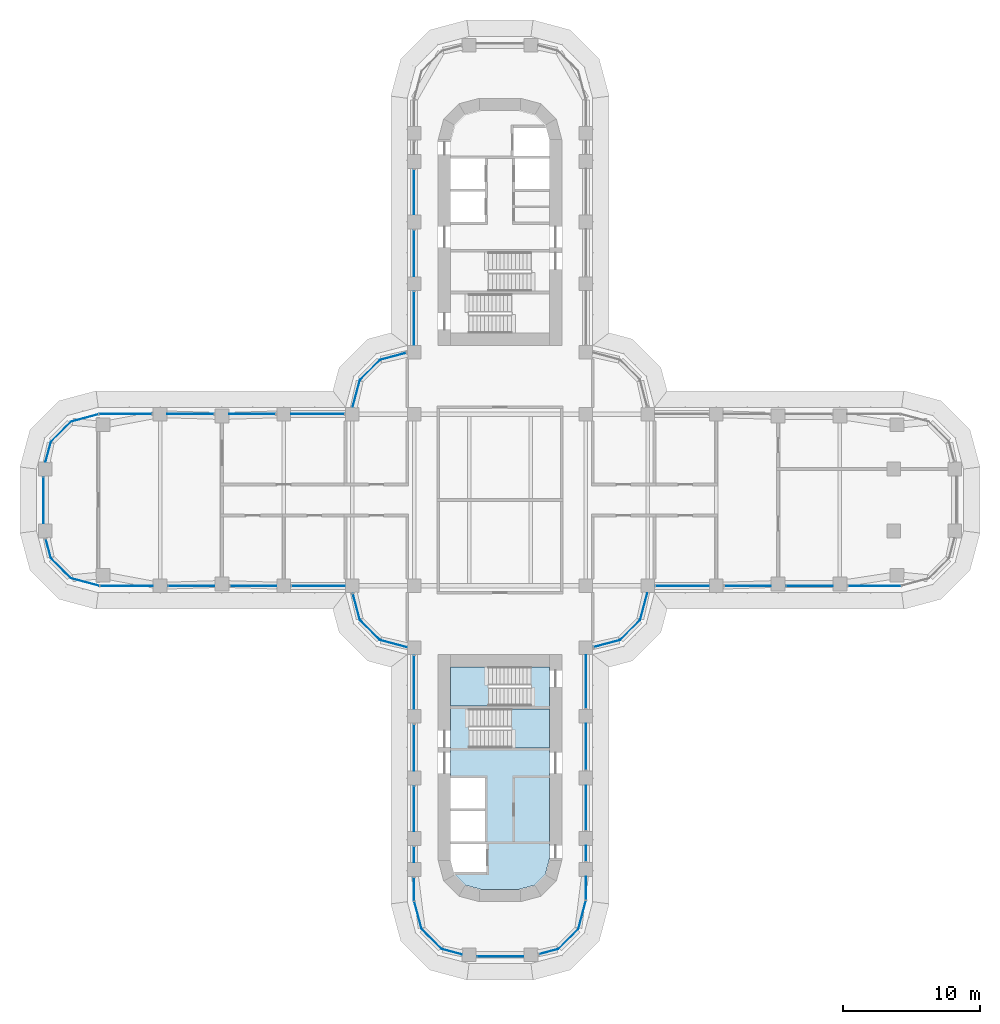
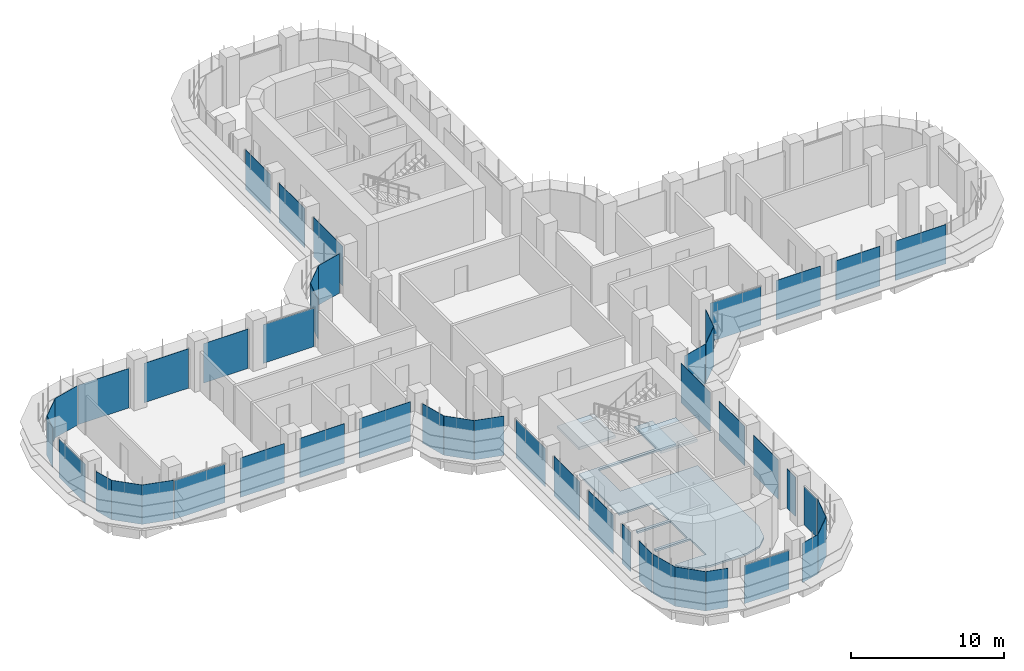
# One storey, part 13 of 23: 48 plates, 3 slabs, 31 elements without a shape of their own.
"""IFC4 building model written with IfcOpenShell, lengths in metres."""

from ifc_helpers import new_model, si_unit, direction, frame, origin, place, context, subcontext, project, spatial, polyline, outline, extrude, source, transform, mapped, material, layer, layer_set, type_object, element, aggregate, save


model = new_model("IFC4")

# Units and contexts
model_context = context("Model", 3, precision=1e-05, world=origin(), true_north=direction((0.0, 1.0)))
body_context = subcontext(model_context, "Body", "Model", "MODEL_VIEW")
ifc_project = project(units=[si_unit("LENGTHUNIT", "METRE"), si_unit("AREAUNIT", "SQUARE_METRE"), si_unit("VOLUMEUNIT", "CUBIC_METRE"), si_unit("PLANEANGLEUNIT", "RADIAN"), si_unit("MASSUNIT", "GRAM", prefix="KILO")], contexts=[model_context])

# Site, building, storey
site_placement = place(None, origin())
site = spatial("IfcSite", under=ifc_project, at=site_placement, CompositionType="ELEMENT")
building_placement = place(site_placement, origin())
building = spatial("IfcBuilding", under=site, at=building_placement, Name="Zarbagh Exchange Tower", CompositionType="ELEMENT")
storey_placement = place(building_placement, frame((0.0, 0.0, 48.0)))
storey = spatial("IfcBuildingStorey", under=building, at=storey_placement, Name="L10", CompositionType="ELEMENT", Elevation=48.0)

# Slab
ifc_material_1 = material(Name="Concrete C40/50", Category="concrete")
ifc_layer_1 = layer(ifc_material_1, 0.14990234375)
ifc_layer_set_1 = layer_set([ifc_layer_1], Name="Core floor slab 150 C40/50")
slab_type_1 = type_object("IfcSlabType", Name="Core floor slab 150 C40/50", PredefinedType="FLOOR", material=ifc_layer_set_1)
slab_1_placement = place(storey_placement, frame((0.0, 0.0, -0.14990234375)))
element("IfcSlab", 1, at=slab_1_placement, inside=storey, type_object=slab_type_1, Name="S17 core S", PredefinedType="FLOOR", context=body_context, shape_type="SweptSolid", body=[
    extrude(outline(polyline([(-2.5341796875, -28.041259765625), (-3.291259765625, -27.2841796875), (-3.340576171875, -27.10009765625), (-1.0, -27.10009765625), (-1.0, -25.050048828125), (-3.60009765625, -25.050048828125), (-3.60009765625, -24.85009765625), (-1.10009765625, -24.85009765625), (-1.10009765625, -22.64990234375), (-3.60009765625, -22.64990234375), (-3.60009765625, -22.449951171875), (-1.10009765625, -22.449951171875), (-1.10009765625, -20.25), (-3.60009765625, -20.25), (-3.60009765625, -15.0), (2.25, -15.0), (2.25, -12.14990234375), (3.60009765625, -12.14990234375), (3.60009765625, -15.199951171875), (-2.25, -15.199951171875), (-2.25, -18.050048828125), (3.60009765625, -18.050048828125), (3.60009765625, -26.131591796875), (3.291259765625, -27.2841796875), (2.5341796875, -28.041259765625), (1.381591796875, -28.35009765625), (-1.381591796875, -28.35009765625), (-2.5341796875, -28.041259765625)])), origin(), (0.0, 0.0, 1.0), 0.14990234375),
])

# Stair, slab
stair_type = type_object("IfcStairType", Name="Exit stair two-flight half-turn", PredefinedType="HALF_TURN_STAIR", material=ifc_material_1)
stair_1_placement = place(storey_placement, origin())
stair_1 = element("IfcStair", 2, at=stair_1_placement, inside=storey, type_object=stair_type, Name="exit stair ST3", PredefinedType="HALF_TURN_STAIR")
ifc_layer_2 = layer(ifc_material_1, 0.199951171875)
ifc_layer_set_2 = layer_set([ifc_layer_2], Name="Stair landing 200 mm")
slab_type_2 = type_object("IfcSlabType", Name="Stair landing 200 mm", PredefinedType="LANDING", material=ifc_layer_set_2)
slab_2_placement = place(storey_placement, frame((0.0, 0.0, 1.89990234375)))
slab_2 = element("IfcSlab", 3, at=slab_2_placement, type_object=slab_type_2, Name="ST3 landing 1", PredefinedType="LANDING", context=body_context, shape_type="SweptSolid", body=[
    extrude(outline(polyline([(0.830078125, -18.050048828125), (3.60009765625, -18.050048828125), (3.60009765625, -15.199951171875), (0.830078125, -15.199951171875), (0.830078125, -18.050048828125)])), origin(), (0.0, 0.0, 1.0), 0.2001953125),
])
aggregate(stair_1, [slab_2])

stair_2_placement = place(storey_placement, origin())
stair_2 = element("IfcStair", 4, at=stair_2_placement, inside=storey, type_object=stair_type, Name="exit stair ST4", PredefinedType="HALF_TURN_STAIR")
slab_3_placement = place(storey_placement, frame((0.0, 0.0, 1.89990234375)))
slab_3 = element("IfcSlab", 5, at=slab_3_placement, type_object=slab_type_2, Name="ST4 landing 1", PredefinedType="LANDING", context=body_context, shape_type="SweptSolid", body=[
    extrude(outline(polyline([(-0.830078125, -12.14990234375), (-3.60009765625, -12.14990234375), (-3.60009765625, -15.0), (-0.830078125, -15.0), (-0.830078125, -12.14990234375)])), origin(), (0.0, 0.0, 1.0), 0.2001953125),
])
aggregate(stair_2, [slab_3])

# Curtain wall, plate
ifc_material_2 = material(Name="Anodised aluminium frame and glazing", Category="aluminium")
curtain_wall_type = type_object("IfcCurtainWallType", Name="CWA Ribbon glazing, lower zones", PredefinedType="NOTDEFINED", material=ifc_material_2)
curtain_wall_1_placement = place(storey_placement, origin())
curtain_wall_1 = element("IfcCurtainWall", 6, at=curtain_wall_1_placement, inside=storey, type_object=curtain_wall_type, Name="CWA01 curtain wall", PredefinedType="NOTDEFINED")
ifc_material_3 = material(Name="Low-e double glazed unit, 6+12+6 mm")
ifc_layer_3 = layer(ifc_material_3, 0.028076171875)
ifc_layer_set_3 = layer_set([ifc_layer_3], Name="PAA Glazing panel, Low-e double glazed unit, 6+12+6 mm")
plate_type = type_object("IfcPlateType", Name="PAA Glazing panel, Low-e double glazed unit, 6+12+6 mm", PredefinedType="CURTAIN_PANEL", material=ifc_layer_set_3)
shared_shape_1 = source(origin(), body_context, "Body", "SweptSolid", [
    extrude(outline(polyline([(0.0, -0.013916015625), (1.4423828125, -0.013916015625), (1.4423828125, 0.013916015625), (0.0, 0.013916015625), (0.0, -0.013916015625)])), origin(), (0.0, 0.0, 1.0), 3.14990234375),
])
placement = place(storey_placement, origin())
plate_1 = element("IfcPlate", 7, at=placement, type_object=plate_type, Name="CWA01 glazing panel 1.1", PredefinedType="CURTAIN_PANEL", context=body_context, shape_type="MappedRepresentation", body=[
    mapped(shared_shape_1, transform((2.847900390625, -33.072021484375, 0.0), x_axis=(0.965924289636, 0.258824779902, 0.0), y_axis=(-0.258824779902, 0.965924289636, 0.0), z_axis=(0.0, 0.0, 1.0))),
])
aggregate(curtain_wall_1, [plate_1])

curtain_wall_2_placement = place(storey_placement, origin())
curtain_wall_2 = element("IfcCurtainWall", 8, at=curtain_wall_2_placement, inside=storey, type_object=curtain_wall_type, Name="CWA37 curtain wall", PredefinedType="NOTDEFINED")
plate_2 = element("IfcPlate", 9, at=placement, type_object=plate_type, Name="CWA37 glazing panel 1.1", PredefinedType="CURTAIN_PANEL", context=body_context, shape_type="MappedRepresentation", body=[
    mapped(shared_shape_1, transform((-33.072021484375, -2.847900390625, 0.0), x_axis=(0.258824779902, -0.965924289636, 0.0), y_axis=(0.965924289636, 0.258824779902, 0.0), z_axis=(0.0, 0.0, 1.0))),
])
aggregate(curtain_wall_2, [plate_2])

curtain_wall_3_placement = place(storey_placement, origin())
curtain_wall_3 = element("IfcCurtainWall", 10, at=curtain_wall_3_placement, inside=storey, type_object=curtain_wall_type, Name="CWA02 curtain wall", PredefinedType="NOTDEFINED")
shared_shape_2 = source(origin(), body_context, "Body", "SweptSolid", [
    extrude(outline(polyline([(0.0, -0.013916015625), (2.061279296875, -0.013916015625), (2.061279296875, 0.013916015625), (0.0, 0.013916015625), (0.0, -0.013916015625)])), origin(), (0.0, 0.0, 1.0), 3.14990234375),
])
plate_3 = element("IfcPlate", 11, at=placement, type_object=plate_type, Name="CWA02 glazing panel 1.1", PredefinedType="CURTAIN_PANEL", context=body_context, shape_type="MappedRepresentation", body=[
    mapped(shared_shape_2, transform((4.2412109375, -32.69873046875, 0.0), x_axis=(0.707106781187, 0.707106781187, 0.0), y_axis=(-0.707106781187, 0.707106781187, 0.0), z_axis=(0.0, 0.0, 1.0))),
])
aggregate(curtain_wall_3, [plate_3])

curtain_wall_4_placement = place(storey_placement, origin())
curtain_wall_4 = element("IfcCurtainWall", 12, at=curtain_wall_4_placement, inside=storey, type_object=curtain_wall_type, Name="CWA06 curtain wall", PredefinedType="NOTDEFINED")
plate_4 = element("IfcPlate", 13, at=placement, type_object=plate_type, Name="CWA06 glazing panel 1.1", PredefinedType="CURTAIN_PANEL", context=body_context, shape_type="MappedRepresentation", body=[
    mapped(shared_shape_2, transform((8.7412109375, -10.19873046875, 0.0), x_axis=(0.707106781187, 0.707106781187, 0.0), y_axis=(-0.707106781187, 0.707106781187, 0.0), z_axis=(0.0, 0.0, 1.0))),
])
aggregate(curtain_wall_4, [plate_4])

curtain_wall_5_placement = place(storey_placement, origin())
curtain_wall_5 = element("IfcCurtainWall", 14, at=curtain_wall_5_placement, inside=storey, type_object=curtain_wall_type, Name="CWA30 curtain wall", PredefinedType="NOTDEFINED")
plate_5 = element("IfcPlate", 15, at=placement, type_object=plate_type, Name="CWA30 glazing panel 1.1", PredefinedType="CURTAIN_PANEL", context=body_context, shape_type="MappedRepresentation", body=[
    mapped(shared_shape_2, transform((-8.7412109375, 10.19873046875, 0.0), x_axis=(-0.707106781187, -0.707106781187, 0.0), y_axis=(0.707106781187, -0.707106781187, 0.0), z_axis=(0.0, 0.0, 1.0))),
])
aggregate(curtain_wall_5, [plate_5])

curtain_wall_6_placement = place(storey_placement, origin())
curtain_wall_6 = element("IfcCurtainWall", 16, at=curtain_wall_6_placement, inside=storey, type_object=curtain_wall_type, Name="CWA34 curtain wall", PredefinedType="NOTDEFINED")
plate_6 = element("IfcPlate", 17, at=placement, type_object=plate_type, Name="CWA34 glazing panel 1.1", PredefinedType="CURTAIN_PANEL", context=body_context, shape_type="MappedRepresentation", body=[
    mapped(shared_shape_2, transform((-31.2412109375, 5.69873046875, 0.0), x_axis=(-0.707106781187, -0.707106781187, 0.0), y_axis=(0.707106781187, -0.707106781187, 0.0), z_axis=(0.0, 0.0, 1.0))),
])
aggregate(curtain_wall_6, [plate_6])

curtain_wall_7_placement = place(storey_placement, origin())
curtain_wall_7 = element("IfcCurtainWall", 18, at=curtain_wall_7_placement, inside=storey, type_object=curtain_wall_type, Name="CWA38 curtain wall", PredefinedType="NOTDEFINED")
plate_7 = element("IfcPlate", 19, at=placement, type_object=plate_type, Name="CWA38 glazing panel 1.1", PredefinedType="CURTAIN_PANEL", context=body_context, shape_type="MappedRepresentation", body=[
    mapped(shared_shape_2, transform((-32.69873046875, -4.2412109375, 0.0), x_axis=(0.707106781187, -0.707106781187, 0.0), y_axis=(0.707106781187, 0.707106781187, 0.0), z_axis=(0.0, 0.0, 1.0))),
])
aggregate(curtain_wall_7, [plate_7])

curtain_wall_8_placement = place(storey_placement, origin())
curtain_wall_8 = element("IfcCurtainWall", 20, at=curtain_wall_8_placement, inside=storey, type_object=curtain_wall_type, Name="CWA42 curtain wall", PredefinedType="NOTDEFINED")
plate_8 = element("IfcPlate", 21, at=placement, type_object=plate_type, Name="CWA42 glazing panel 1.1", PredefinedType="CURTAIN_PANEL", context=body_context, shape_type="MappedRepresentation", body=[
    mapped(shared_shape_2, transform((-10.19873046875, -8.7412109375, 0.0), x_axis=(0.707106781187, -0.707106781187, 0.0), y_axis=(0.707106781187, 0.707106781187, 0.0), z_axis=(0.0, 0.0, 1.0))),
])
aggregate(curtain_wall_8, [plate_8])

curtain_wall_9_placement = place(storey_placement, origin())
curtain_wall_9 = element("IfcCurtainWall", 22, at=curtain_wall_9_placement, inside=storey, type_object=curtain_wall_type, Name="CWA46 curtain wall", PredefinedType="NOTDEFINED")
plate_9 = element("IfcPlate", 23, at=placement, type_object=plate_type, Name="CWA46 glazing panel 1.1", PredefinedType="CURTAIN_PANEL", context=body_context, shape_type="MappedRepresentation", body=[
    mapped(shared_shape_2, transform((-5.69873046875, -31.2412109375, 0.0), x_axis=(0.707106781187, -0.707106781187, 0.0), y_axis=(0.707106781187, 0.707106781187, 0.0), z_axis=(0.0, 0.0, 1.0))),
])
aggregate(curtain_wall_9, [plate_9])

curtain_wall_10_placement = place(storey_placement, origin())
curtain_wall_10 = element("IfcCurtainWall", 24, at=curtain_wall_10_placement, inside=storey, type_object=curtain_wall_type, Name="CWA03 curtain wall", PredefinedType="NOTDEFINED")
shared_shape_3 = source(origin(), body_context, "Body", "SweptSolid", [
    extrude(outline(polyline([(0.0, -0.013916015625), (2.129638671875, -0.013916015625), (2.129638671875, 0.013916015625), (0.0, 0.013916015625), (0.0, -0.013916015625)])), origin(), (0.0, 0.0, 1.0), 3.14990234375),
])
plate_10 = element("IfcPlate", 25, at=placement, type_object=plate_type, Name="CWA03 glazing panel 1.1", PredefinedType="CURTAIN_PANEL", context=body_context, shape_type="MappedRepresentation", body=[
    mapped(shared_shape_3, transform((5.69873046875, -31.2412109375, 0.0), x_axis=(0.258824779902, 0.965924289636, 0.0), y_axis=(-0.965924289636, 0.258824779902, 0.0), z_axis=(0.0, 0.0, 1.0))),
])
aggregate(curtain_wall_10, [plate_10])

curtain_wall_11_placement = place(storey_placement, origin())
curtain_wall_11 = element("IfcCurtainWall", 26, at=curtain_wall_11_placement, inside=storey, type_object=curtain_wall_type, Name="CWA39 curtain wall", PredefinedType="NOTDEFINED")
plate_11 = element("IfcPlate", 27, at=placement, type_object=plate_type, Name="CWA39 glazing panel 1.1", PredefinedType="CURTAIN_PANEL", context=body_context, shape_type="MappedRepresentation", body=[
    mapped(shared_shape_3, transform((-31.2412109375, -5.69873046875, 0.0), x_axis=(0.965924289636, -0.258824779902, 0.0), y_axis=(0.258824779902, 0.965924289636, 0.0), z_axis=(0.0, 0.0, 1.0))),
])
aggregate(curtain_wall_11, [plate_11])

# Curtain wall, plates
curtain_wall_12_placement = place(storey_placement, origin())
curtain_wall_12 = element("IfcCurtainWall", 28, at=curtain_wall_12_placement, inside=storey, type_object=curtain_wall_type, Name="CWA04 curtain wall", PredefinedType="NOTDEFINED")
shared_shape_4 = source(origin(), body_context, "Body", "SweptSolid", [
    extrude(outline(polyline([(0.0, -0.013916015625), (1.68408203125, -0.013916015625), (1.68408203125, 0.013916015625), (0.0, 0.013916015625), (0.0, -0.013916015625)])), origin(), (0.0, 0.0, 1.0), 3.090087890625),
])
plate_12 = element("IfcPlate", 29, at=placement, type_object=plate_type, Name="CWA04 glazing panel 1.1", PredefinedType="CURTAIN_PANEL", context=body_context, shape_type="MappedRepresentation", body=[
    mapped(shared_shape_4, transform((6.25, -29.124267578125, 0.0), x_axis=(0.0, 1.0, 0.0), y_axis=(-1.0, 0.0, 0.0), z_axis=(0.0, 0.0, 1.0))),
])
shared_shape_5 = source(origin(), body_context, "Body", "SweptSolid", [
    extrude(outline(polyline([(0.0, -0.013916015625), (1.110107421875, -0.013916015625), (1.110107421875, 0.013916015625), (0.0, 0.013916015625), (0.0, -0.013916015625)])), origin(), (0.0, 0.0, 1.0), 3.14990234375),
])
plate_13 = element("IfcPlate", 30, at=placement, type_object=plate_type, Name="CWA04 glazing panel 2.1", PredefinedType="CURTAIN_PANEL", context=body_context, shape_type="MappedRepresentation", body=[
    mapped(shared_shape_5, transform((6.25, -26.300048828125, 0.0), x_axis=(0.0, 1.0, 0.0), y_axis=(-1.0, 0.0, 0.0), z_axis=(0.0, 0.0, 1.0))),
])

# Curtain wall, plate
curtain_wall_13_placement = place(storey_placement, origin())
curtain_wall_13 = element("IfcCurtainWall", 31, at=curtain_wall_13_placement, inside=storey, type_object=curtain_wall_type, Name="CWA44 curtain wall", PredefinedType="NOTDEFINED")
plate_14 = element("IfcPlate", 32, at=placement, type_object=plate_type, Name="CWA44 glazing panel 4.1", PredefinedType="CURTAIN_PANEL", context=body_context, shape_type="MappedRepresentation", body=[
    mapped(shared_shape_5, transform((-6.25, -25.25, 0.0), x_axis=(0.0, -1.0, 0.0), y_axis=(1.0, 0.0, 0.0), z_axis=(0.0, 0.0, 1.0))),
])

# Plate
shared_shape_6 = source(origin(), body_context, "Body", "SweptSolid", [
    extrude(outline(polyline([(0.0, -0.013916015625), (3.260009765625, -0.013916015625), (3.260009765625, 0.013916015625), (0.0, 0.013916015625), (0.0, -0.013916015625)])), origin(), (0.0, 0.0, 1.0), 3.14990234375),
])
plate_15 = element("IfcPlate", 33, at=placement, type_object=plate_type, Name="CWA04 glazing panel 3.1", PredefinedType="CURTAIN_PANEL", context=body_context, shape_type="MappedRepresentation", body=[
    mapped(shared_shape_6, transform((6.25, -24.050048828125, 0.0), x_axis=(0.0, 1.0, 0.0), y_axis=(-1.0, 0.0, 0.0), z_axis=(0.0, 0.0, 1.0))),
])

# Curtain wall, plate
curtain_wall_14_placement = place(storey_placement, origin())
curtain_wall_14 = element("IfcCurtainWall", 34, at=curtain_wall_14_placement, inside=storey, type_object=curtain_wall_type, Name="CWA28 curtain wall", PredefinedType="NOTDEFINED")
plate_16 = element("IfcPlate", 35, at=placement, type_object=plate_type, Name="CWA28 glazing panel 3.1", PredefinedType="CURTAIN_PANEL", context=body_context, shape_type="MappedRepresentation", body=[
    mapped(shared_shape_6, transform((-6.25, 24.050048828125, 0.0), x_axis=(0.0, -1.0, 0.0), y_axis=(1.0, 0.0, 0.0), z_axis=(0.0, 0.0, 1.0))),
])

# Plate
plate_17 = element("IfcPlate", 36, at=placement, type_object=plate_type, Name="CWA44 glazing panel 3.1", PredefinedType="CURTAIN_PANEL", context=body_context, shape_type="MappedRepresentation", body=[
    mapped(shared_shape_6, transform((-6.25, -20.85009765625, 0.0), x_axis=(0.0, -1.0, 0.0), y_axis=(1.0, 0.0, 0.0), z_axis=(0.0, 0.0, 1.0))),
])

shared_shape_7 = source(origin(), body_context, "Body", "SweptSolid", [
    extrude(outline(polyline([(0.0, -0.013916015625), (3.360107421875, -0.013916015625), (3.360107421875, 0.013916015625), (0.0, 0.013916015625), (0.0, -0.013916015625)])), origin(), (0.0, 0.0, 1.0), 3.14990234375),
])
plate_18 = element("IfcPlate", 37, at=placement, type_object=plate_type, Name="CWA04 glazing panel 4.1", PredefinedType="CURTAIN_PANEL", context=body_context, shape_type="MappedRepresentation", body=[
    mapped(shared_shape_7, transform((6.25, -19.64990234375, 0.0), x_axis=(0.0, 1.0, 0.0), y_axis=(-1.0, 0.0, 0.0), z_axis=(0.0, 0.0, 1.0))),
])

# Curtain wall, plates
curtain_wall_15_placement = place(storey_placement, origin())
curtain_wall_15 = element("IfcCurtainWall", 38, at=curtain_wall_15_placement, inside=storey, type_object=curtain_wall_type, Name="CWA08 curtain wall", PredefinedType="NOTDEFINED")
plate_19 = element("IfcPlate", 39, at=placement, type_object=plate_type, Name="CWA08 glazing panel 2.1", PredefinedType="CURTAIN_PANEL", context=body_context, shape_type="MappedRepresentation", body=[
    mapped(shared_shape_7, transform((16.35009765625, -6.25, 0.0), x_axis=(1.0, 0.0, 0.0), y_axis=(0.0, 1.0, 0.0), z_axis=(0.0, 0.0, 1.0))),
])
plate_20 = element("IfcPlate", 40, at=placement, type_object=plate_type, Name="CWA08 glazing panel 3.1", PredefinedType="CURTAIN_PANEL", context=body_context, shape_type="MappedRepresentation", body=[
    mapped(shared_shape_7, transform((20.85009765625, -6.25, 0.0), x_axis=(1.0, 0.0, 0.0), y_axis=(0.0, 1.0, 0.0), z_axis=(0.0, 0.0, 1.0))),
])

# Plate
plate_21 = element("IfcPlate", 41, at=placement, type_object=plate_type, Name="CWA28 glazing panel 4.1", PredefinedType="CURTAIN_PANEL", context=body_context, shape_type="MappedRepresentation", body=[
    mapped(shared_shape_7, transform((-6.25, 19.64990234375, 0.0), x_axis=(0.0, -1.0, 0.0), y_axis=(1.0, 0.0, 0.0), z_axis=(0.0, 0.0, 1.0))),
])

# Curtain wall, plates
curtain_wall_16_placement = place(storey_placement, origin())
curtain_wall_16 = element("IfcCurtainWall", 42, at=curtain_wall_16_placement, inside=storey, type_object=curtain_wall_type, Name="CWA32 curtain wall", PredefinedType="NOTDEFINED")
plate_22 = element("IfcPlate", 43, at=placement, type_object=plate_type, Name="CWA32 glazing panel 2.1", PredefinedType="CURTAIN_PANEL", context=body_context, shape_type="MappedRepresentation", body=[
    mapped(shared_shape_7, transform((-16.35009765625, 6.25, 0.0), x_axis=(-1.0, 0.0, 0.0), y_axis=(0.0, -1.0, 0.0), z_axis=(0.0, 0.0, 1.0))),
])
plate_23 = element("IfcPlate", 44, at=placement, type_object=plate_type, Name="CWA32 glazing panel 3.1", PredefinedType="CURTAIN_PANEL", context=body_context, shape_type="MappedRepresentation", body=[
    mapped(shared_shape_7, transform((-20.85009765625, 6.25, 0.0), x_axis=(-1.0, 0.0, 0.0), y_axis=(0.0, -1.0, 0.0), z_axis=(0.0, 0.0, 1.0))),
])

curtain_wall_17_placement = place(storey_placement, origin())
curtain_wall_17 = element("IfcCurtainWall", 45, at=curtain_wall_17_placement, inside=storey, type_object=curtain_wall_type, Name="CWA40 curtain wall", PredefinedType="NOTDEFINED")
plate_24 = element("IfcPlate", 46, at=placement, type_object=plate_type, Name="CWA40 glazing panel 2.1", PredefinedType="CURTAIN_PANEL", context=body_context, shape_type="MappedRepresentation", body=[
    mapped(shared_shape_7, transform((-24.14990234375, -6.25, 0.0), x_axis=(1.0, 0.0, 0.0), y_axis=(0.0, 1.0, 0.0), z_axis=(0.0, 0.0, 1.0))),
])
plate_25 = element("IfcPlate", 47, at=placement, type_object=plate_type, Name="CWA40 glazing panel 3.1", PredefinedType="CURTAIN_PANEL", context=body_context, shape_type="MappedRepresentation", body=[
    mapped(shared_shape_7, transform((-19.64990234375, -6.25, 0.0), x_axis=(1.0, 0.0, 0.0), y_axis=(0.0, 1.0, 0.0), z_axis=(0.0, 0.0, 1.0))),
])

# Plate
plate_26 = element("IfcPlate", 48, at=placement, type_object=plate_type, Name="CWA44 glazing panel 2.1", PredefinedType="CURTAIN_PANEL", context=body_context, shape_type="MappedRepresentation", body=[
    mapped(shared_shape_7, transform((-6.25, -16.35009765625, 0.0), x_axis=(0.0, -1.0, 0.0), y_axis=(1.0, 0.0, 0.0), z_axis=(0.0, 0.0, 1.0))),
])

# Curtain wall, plate
curtain_wall_18_placement = place(storey_placement, origin())
curtain_wall_18 = element("IfcCurtainWall", 49, at=curtain_wall_18_placement, inside=storey, type_object=curtain_wall_type, Name="CWA05 curtain wall", PredefinedType="NOTDEFINED")
shared_shape_8 = source(origin(), body_context, "Body", "SweptSolid", [
    extrude(outline(polyline([(0.0, -0.013916015625), (1.9599609375, -0.013916015625), (1.9599609375, 0.013916015625), (0.0, 0.013916015625), (0.0, -0.013916015625)])), origin(), (0.0, 0.0, 1.0), 3.14990234375),
])
plate_27 = element("IfcPlate", 50, at=placement, type_object=plate_type, Name="CWA05 glazing panel 1.1", PredefinedType="CURTAIN_PANEL", context=body_context, shape_type="MappedRepresentation", body=[
    mapped(shared_shape_8, transform((6.847900390625, -10.7060546875, 0.0), x_axis=(0.965924289636, 0.258824779902, 0.0), y_axis=(-0.258824779902, 0.965924289636, 0.0), z_axis=(0.0, 0.0, 1.0))),
])
aggregate(curtain_wall_18, [plate_27])

curtain_wall_19_placement = place(storey_placement, origin())
curtain_wall_19 = element("IfcCurtainWall", 51, at=curtain_wall_19_placement, inside=storey, type_object=curtain_wall_type, Name="CWA29 curtain wall", PredefinedType="NOTDEFINED")
plate_28 = element("IfcPlate", 52, at=placement, type_object=plate_type, Name="CWA29 glazing panel 1.1", PredefinedType="CURTAIN_PANEL", context=body_context, shape_type="MappedRepresentation", body=[
    mapped(shared_shape_8, transform((-6.847900390625, 10.7060546875, 0.0), x_axis=(-0.965924289636, -0.258824779902, 0.0), y_axis=(0.258824779902, -0.965924289636, 0.0), z_axis=(0.0, 0.0, 1.0))),
])
aggregate(curtain_wall_19, [plate_28])

curtain_wall_20_placement = place(storey_placement, origin())
curtain_wall_20 = element("IfcCurtainWall", 53, at=curtain_wall_20_placement, inside=storey, type_object=curtain_wall_type, Name="CWA41 curtain wall", PredefinedType="NOTDEFINED")
plate_29 = element("IfcPlate", 54, at=placement, type_object=plate_type, Name="CWA41 glazing panel 1.1", PredefinedType="CURTAIN_PANEL", context=body_context, shape_type="MappedRepresentation", body=[
    mapped(shared_shape_8, transform((-10.7060546875, -6.847900390625, 0.0), x_axis=(0.258824779902, -0.965924289636, 0.0), y_axis=(0.965924289636, 0.258824779902, 0.0), z_axis=(0.0, 0.0, 1.0))),
])
aggregate(curtain_wall_20, [plate_29])

curtain_wall_21_placement = place(storey_placement, origin())
curtain_wall_21 = element("IfcCurtainWall", 55, at=curtain_wall_21_placement, inside=storey, type_object=curtain_wall_type, Name="CWA07 curtain wall", PredefinedType="NOTDEFINED")
shared_shape_9 = source(origin(), body_context, "Body", "SweptSolid", [
    extrude(outline(polyline([(0.0, -0.013916015625), (2.02001953125, -0.013916015625), (2.02001953125, 0.013916015625), (0.0, 0.013916015625), (0.0, -0.013916015625)])), origin(), (0.0, 0.0, 1.0), 3.14990234375),
])
plate_30 = element("IfcPlate", 56, at=placement, type_object=plate_type, Name="CWA07 glazing panel 1.1", PredefinedType="CURTAIN_PANEL", context=body_context, shape_type="MappedRepresentation", body=[
    mapped(shared_shape_9, transform((10.19873046875, -8.7412109375, 0.0), x_axis=(0.258824779902, 0.965924289636, 0.0), y_axis=(-0.965924289636, 0.258824779902, 0.0), z_axis=(0.0, 0.0, 1.0))),
])
aggregate(curtain_wall_21, [plate_30])

curtain_wall_22_placement = place(storey_placement, origin())
curtain_wall_22 = element("IfcCurtainWall", 57, at=curtain_wall_22_placement, inside=storey, type_object=curtain_wall_type, Name="CWA31 curtain wall", PredefinedType="NOTDEFINED")
plate_31 = element("IfcPlate", 58, at=placement, type_object=plate_type, Name="CWA31 glazing panel 1.1", PredefinedType="CURTAIN_PANEL", context=body_context, shape_type="MappedRepresentation", body=[
    mapped(shared_shape_9, transform((-10.19873046875, 8.7412109375, 0.0), x_axis=(-0.258824779902, -0.965924289636, 0.0), y_axis=(0.965924289636, -0.258824779902, 0.0), z_axis=(0.0, 0.0, 1.0))),
])
aggregate(curtain_wall_22, [plate_31])

curtain_wall_23_placement = place(storey_placement, origin())
curtain_wall_23 = element("IfcCurtainWall", 59, at=curtain_wall_23_placement, inside=storey, type_object=curtain_wall_type, Name="CWA43 curtain wall", PredefinedType="NOTDEFINED")
plate_32 = element("IfcPlate", 60, at=placement, type_object=plate_type, Name="CWA43 glazing panel 1.1", PredefinedType="CURTAIN_PANEL", context=body_context, shape_type="MappedRepresentation", body=[
    mapped(shared_shape_9, transform((-8.7412109375, -10.19873046875, 0.0), x_axis=(0.965924289636, -0.258824779902, 0.0), y_axis=(0.258824779902, 0.965924289636, 0.0), z_axis=(0.0, 0.0, 1.0))),
])
aggregate(curtain_wall_23, [plate_32])

# Plate
shared_shape_10 = source(origin(), body_context, "Body", "SweptSolid", [
    extrude(outline(polyline([(0.0, -0.013916015625), (3.860107421875, -0.013916015625), (3.860107421875, 0.013916015625), (0.0, 0.013916015625), (0.0, -0.013916015625)])), origin(), (0.0, 0.0, 1.0), 3.090087890625),
])
plate_33 = element("IfcPlate", 61, at=placement, type_object=plate_type, Name="CWA08 glazing panel 1.1", PredefinedType="CURTAIN_PANEL", context=body_context, shape_type="MappedRepresentation", body=[
    mapped(shared_shape_10, transform((11.35009765625, -6.25, 0.0), x_axis=(1.0, 0.0, 0.0), y_axis=(0.0, 1.0, 0.0), z_axis=(0.0, 0.0, 1.0))),
])

plate_34 = element("IfcPlate", 62, at=placement, type_object=plate_type, Name="CWA32 glazing panel 1.1", PredefinedType="CURTAIN_PANEL", context=body_context, shape_type="MappedRepresentation", body=[
    mapped(shared_shape_10, transform((-11.35009765625, 6.25, 0.0), x_axis=(-1.0, 0.0, 0.0), y_axis=(0.0, -1.0, 0.0), z_axis=(0.0, 0.0, 1.0))),
])

plate_35 = element("IfcPlate", 63, at=placement, type_object=plate_type, Name="CWA44 glazing panel 1.1", PredefinedType="CURTAIN_PANEL", context=body_context, shape_type="MappedRepresentation", body=[
    mapped(shared_shape_10, transform((-6.25, -11.35009765625, 0.0), x_axis=(0.0, -1.0, 0.0), y_axis=(1.0, 0.0, 0.0), z_axis=(0.0, 0.0, 1.0))),
])

shared_shape_11 = source(origin(), body_context, "Body", "SweptSolid", [
    extrude(outline(polyline([(0.0, -0.013916015625), (3.833984375, -0.013916015625), (3.833984375, 0.013916015625), (0.0, 0.013916015625), (0.0, -0.013916015625)])), origin(), (0.0, 0.0, 1.0), 3.14990234375),
])
plate_36 = element("IfcPlate", 64, at=placement, type_object=plate_type, Name="CWA08 glazing panel 4.1", PredefinedType="CURTAIN_PANEL", context=body_context, shape_type="MappedRepresentation", body=[
    mapped(shared_shape_11, transform((25.35009765625, -6.25, 0.0), x_axis=(1.0, 0.0, 0.0), y_axis=(0.0, 1.0, 0.0), z_axis=(0.0, 0.0, 1.0))),
])

aggregate(curtain_wall_15, [plate_33, plate_19, plate_20, plate_36])

plate_37 = element("IfcPlate", 65, at=placement, type_object=plate_type, Name="CWA32 glazing panel 4.1", PredefinedType="CURTAIN_PANEL", context=body_context, shape_type="MappedRepresentation", body=[
    mapped(shared_shape_11, transform((-25.35009765625, 6.25, 0.0), x_axis=(-1.0, 0.0, 0.0), y_axis=(0.0, -1.0, 0.0), z_axis=(0.0, 0.0, 1.0))),
])

aggregate(curtain_wall_16, [plate_34, plate_22, plate_23, plate_37])

# Curtain wall, plate
curtain_wall_24_placement = place(storey_placement, origin())
curtain_wall_24 = element("IfcCurtainWall", 66, at=curtain_wall_24_placement, inside=storey, type_object=curtain_wall_type, Name="CWA33 curtain wall", PredefinedType="NOTDEFINED")
shared_shape_12 = source(origin(), body_context, "Body", "SweptSolid", [
    extrude(outline(polyline([(0.0, -0.013916015625), (2.069580078125, -0.013916015625), (2.069580078125, 0.013916015625), (0.0, 0.013916015625), (0.0, -0.013916015625)])), origin(), (0.0, 0.0, 1.0), 3.14990234375),
])
plate_38 = element("IfcPlate", 67, at=placement, type_object=plate_type, Name="CWA33 glazing panel 1.1", PredefinedType="CURTAIN_PANEL", context=body_context, shape_type="MappedRepresentation", body=[
    mapped(shared_shape_12, transform((-29.2421875, 6.234375, 0.0), x_axis=(-0.965924289636, -0.258824779902, 0.0), y_axis=(0.258824779902, -0.965924289636, 0.0), z_axis=(0.0, 0.0, 1.0))),
])
aggregate(curtain_wall_24, [plate_38])

curtain_wall_25_placement = place(storey_placement, origin())
curtain_wall_25 = element("IfcCurtainWall", 68, at=curtain_wall_25_placement, inside=storey, type_object=curtain_wall_type, Name="CWA45 curtain wall", PredefinedType="NOTDEFINED")
plate_39 = element("IfcPlate", 69, at=placement, type_object=plate_type, Name="CWA45 glazing panel 1.1", PredefinedType="CURTAIN_PANEL", context=body_context, shape_type="MappedRepresentation", body=[
    mapped(shared_shape_12, transform((-6.234375, -29.2421875, 0.0), x_axis=(0.258824779902, -0.965924289636, 0.0), y_axis=(0.965924289636, 0.258824779902, 0.0), z_axis=(0.0, 0.0, 1.0))),
])
aggregate(curtain_wall_25, [plate_39])

curtain_wall_26_placement = place(storey_placement, origin())
curtain_wall_26 = element("IfcCurtainWall", 70, at=curtain_wall_26_placement, inside=storey, type_object=curtain_wall_type, Name="CWA35 curtain wall", PredefinedType="NOTDEFINED")
shared_shape_13 = source(origin(), body_context, "Body", "SweptSolid", [
    extrude(outline(polyline([(0.0, -0.013916015625), (1.50244140625, -0.013916015625), (1.50244140625, 0.013916015625), (0.0, 0.013916015625), (0.0, -0.013916015625)])), origin(), (0.0, 0.0, 1.0), 3.14990234375),
])
plate_40 = element("IfcPlate", 71, at=placement, type_object=plate_type, Name="CWA35 glazing panel 1.1", PredefinedType="CURTAIN_PANEL", context=body_context, shape_type="MappedRepresentation", body=[
    mapped(shared_shape_13, transform((-32.69873046875, 4.2412109375, 0.0), x_axis=(-0.258824779902, -0.965924289636, 0.0), y_axis=(0.965924289636, -0.258824779902, 0.0), z_axis=(0.0, 0.0, 1.0))),
])
aggregate(curtain_wall_26, [plate_40])

curtain_wall_27_placement = place(storey_placement, origin())
curtain_wall_27 = element("IfcCurtainWall", 72, at=curtain_wall_27_placement, inside=storey, type_object=curtain_wall_type, Name="CWA47 curtain wall", PredefinedType="NOTDEFINED")
plate_41 = element("IfcPlate", 73, at=placement, type_object=plate_type, Name="CWA47 glazing panel 1.1", PredefinedType="CURTAIN_PANEL", context=body_context, shape_type="MappedRepresentation", body=[
    mapped(shared_shape_13, transform((-4.2412109375, -32.69873046875, 0.0), x_axis=(0.965924289636, -0.258824779902, 0.0), y_axis=(0.258824779902, 0.965924289636, 0.0), z_axis=(0.0, 0.0, 1.0))),
])
aggregate(curtain_wall_27, [plate_41])

curtain_wall_28_placement = place(storey_placement, origin())
curtain_wall_28 = element("IfcCurtainWall", 74, at=curtain_wall_28_placement, inside=storey, type_object=curtain_wall_type, Name="CWA36 curtain wall", PredefinedType="NOTDEFINED")
shared_shape_14 = source(origin(), body_context, "Body", "SweptSolid", [
    extrude(outline(polyline([(0.0, -0.013916015625), (3.360107421875, -0.013916015625), (3.360107421875, 0.013916015625), (0.0, 0.013916015625), (0.0, -0.013916015625)])), origin(), (0.0, 0.0, 1.0), 3.090087890625),
])
plate_42 = element("IfcPlate", 75, at=placement, type_object=plate_type, Name="CWA36 glazing panel 1.1", PredefinedType="CURTAIN_PANEL", context=body_context, shape_type="MappedRepresentation", body=[
    mapped(shared_shape_14, transform((-33.25, 1.64990234375, 0.0), x_axis=(0.0, -1.0, 0.0), y_axis=(1.0, 0.0, 0.0), z_axis=(0.0, 0.0, 1.0))),
])
aggregate(curtain_wall_28, [plate_42])

curtain_wall_29_placement = place(storey_placement, origin())
curtain_wall_29 = element("IfcCurtainWall", 76, at=curtain_wall_29_placement, inside=storey, type_object=curtain_wall_type, Name="CWA48 curtain wall", PredefinedType="NOTDEFINED")
plate_43 = element("IfcPlate", 77, at=placement, type_object=plate_type, Name="CWA48 glazing panel 1.1", PredefinedType="CURTAIN_PANEL", context=body_context, shape_type="MappedRepresentation", body=[
    mapped(shared_shape_14, transform((-1.64990234375, -33.25, 0.0), x_axis=(1.0, 0.0, 0.0), y_axis=(0.0, 1.0, 0.0), z_axis=(0.0, 0.0, 1.0))),
])
aggregate(curtain_wall_29, [plate_43])

# Plate
shared_shape_15 = source(origin(), body_context, "Body", "SweptSolid", [
    extrude(outline(polyline([(0.0, -0.013916015625), (3.834228515625, -0.013916015625), (3.834228515625, 0.013916015625), (0.0, 0.013916015625), (0.0, -0.013916015625)])), origin(), (0.0, 0.0, 1.0), 3.090087890625),
])
plate_44 = element("IfcPlate", 78, at=placement, type_object=plate_type, Name="CWA40 glazing panel 1.1", PredefinedType="CURTAIN_PANEL", context=body_context, shape_type="MappedRepresentation", body=[
    mapped(shared_shape_15, transform((-29.124267578125, -6.25, 0.0), x_axis=(1.0, 0.0, 0.0), y_axis=(0.0, 1.0, 0.0), z_axis=(0.0, 0.0, 1.0))),
])

shared_shape_16 = source(origin(), body_context, "Body", "SweptSolid", [
    extrude(outline(polyline([(0.0, -0.013916015625), (3.860107421875, -0.013916015625), (3.860107421875, 0.013916015625), (0.0, 0.013916015625), (0.0, -0.013916015625)])), origin(), (0.0, 0.0, 1.0), 3.14990234375),
])
plate_45 = element("IfcPlate", 79, at=placement, type_object=plate_type, Name="CWA04 glazing panel 5.1", PredefinedType="CURTAIN_PANEL", context=body_context, shape_type="MappedRepresentation", body=[
    mapped(shared_shape_16, transform((6.25, -15.14990234375, 0.0), x_axis=(0.0, 1.0, 0.0), y_axis=(-1.0, 0.0, 0.0), z_axis=(0.0, 0.0, 1.0))),
])

aggregate(curtain_wall_12, [plate_12, plate_13, plate_15, plate_18, plate_45])

plate_46 = element("IfcPlate", 80, at=placement, type_object=plate_type, Name="CWA28 glazing panel 5.1", PredefinedType="CURTAIN_PANEL", context=body_context, shape_type="MappedRepresentation", body=[
    mapped(shared_shape_16, transform((-6.25, 15.14990234375, 0.0), x_axis=(0.0, -1.0, 0.0), y_axis=(1.0, 0.0, 0.0), z_axis=(0.0, 0.0, 1.0))),
])

aggregate(curtain_wall_14, [plate_16, plate_21, plate_46])

plate_47 = element("IfcPlate", 81, at=placement, type_object=plate_type, Name="CWA40 glazing panel 4.1", PredefinedType="CURTAIN_PANEL", context=body_context, shape_type="MappedRepresentation", body=[
    mapped(shared_shape_16, transform((-15.14990234375, -6.25, 0.0), x_axis=(1.0, 0.0, 0.0), y_axis=(0.0, 1.0, 0.0), z_axis=(0.0, 0.0, 1.0))),
])

aggregate(curtain_wall_17, [plate_44, plate_24, plate_25, plate_47])

shared_shape_17 = source(origin(), body_context, "Body", "SweptSolid", [
    extrude(outline(polyline([(0.0, -0.013916015625), (1.68408203125, -0.013916015625), (1.68408203125, 0.013916015625), (0.0, 0.013916015625), (0.0, -0.013916015625)])), origin(), (0.0, 0.0, 1.0), 3.14990234375),
])
plate_48 = element("IfcPlate", 82, at=placement, type_object=plate_type, Name="CWA44 glazing panel 5.1", PredefinedType="CURTAIN_PANEL", context=body_context, shape_type="MappedRepresentation", body=[
    mapped(shared_shape_17, transform((-6.25, -27.5, 0.0), x_axis=(0.0, -1.0, 0.0), y_axis=(1.0, 0.0, 0.0), z_axis=(0.0, 0.0, 1.0))),
])

aggregate(curtain_wall_13, [plate_35, plate_26, plate_17, plate_14, plate_48])

save(model, "model.ifc")
